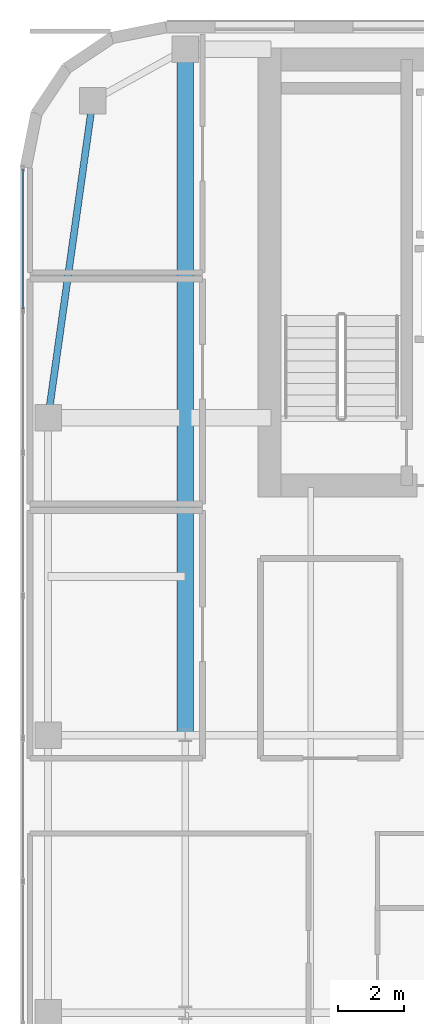
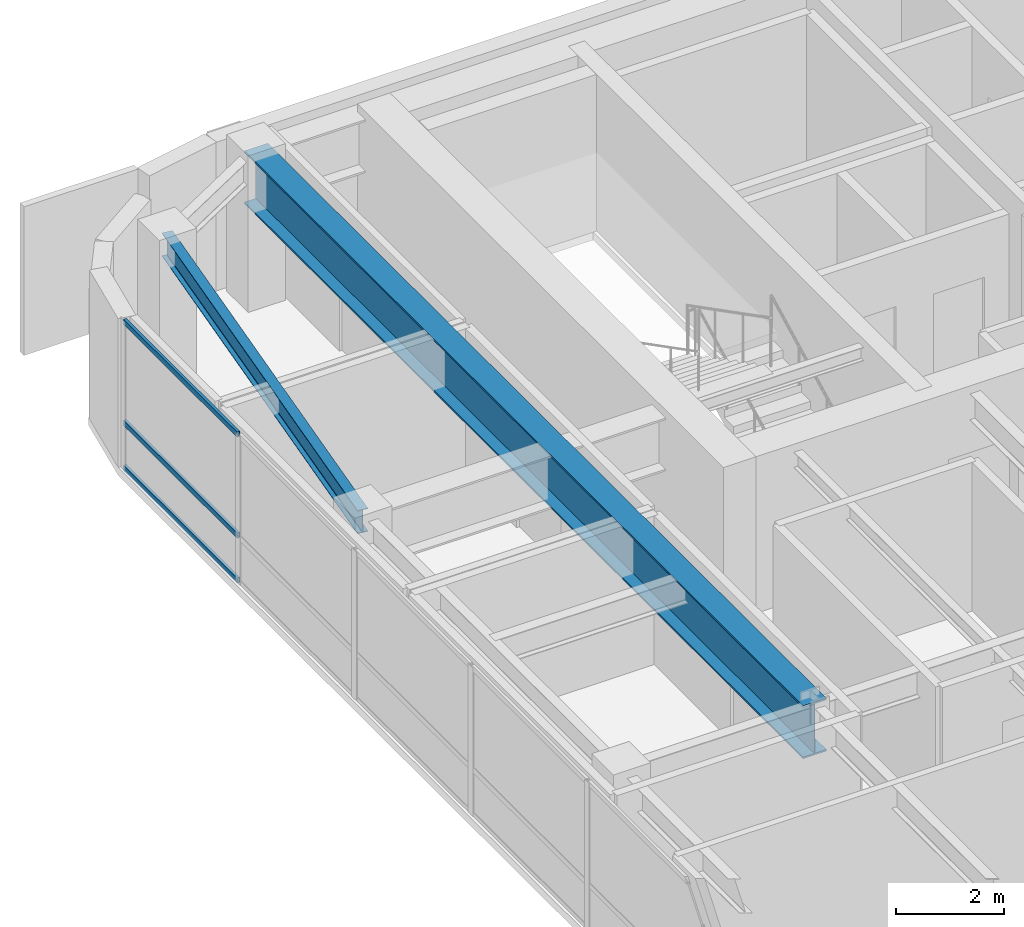
# One storey, part 14 of 28: 3 members, 2 beams, 1 element without a shape of its own.
"""IFC4 building model written with IfcOpenShell, lengths in metres."""

from ifc_helpers import new_model, si_unit, direction, frame, origin, origin_2d, place, context, subcontext, project, spatial, hollow_rectangle, i_section, extrude, source, transform, mapped, material, layer, layer_set, material_profile, profile_set, type_object, type_shapes, element, aggregate, save


model = new_model("IFC4")

# Units and contexts
model_context = context("Model", 3, precision=1e-05, world=origin(), true_north=direction((0.0, 1.0)))
body_context = subcontext(model_context, "Body", "Model", "MODEL_VIEW")
ifc_project = project(units=[si_unit("LENGTHUNIT", "METRE"), si_unit("AREAUNIT", "SQUARE_METRE"), si_unit("VOLUMEUNIT", "CUBIC_METRE"), si_unit("PLANEANGLEUNIT", "RADIAN"), si_unit("MASSUNIT", "GRAM", prefix="KILO")], contexts=[model_context])

# Site, building, storey
site_placement = place(None, origin())
site = spatial("IfcSite", under=ifc_project, at=site_placement, CompositionType="ELEMENT")
building_placement = place(site_placement, origin())
building = spatial("IfcBuilding", under=site, at=building_placement, Name="Tolvann Quenvar Hotel", CompositionType="ELEMENT")
storey_placement = place(building_placement, frame((0.0, 0.0, 198.199951171875)))
storey = spatial("IfcBuildingStorey", under=building, at=storey_placement, Name="L52", CompositionType="ELEMENT", Elevation=198.199951171875)

# Beams
ifc_material_1 = material(Name="Steel Grade 350", Category="steel")
ifc_material_profile_1 = material_profile(ifc_material_1, i_section(OverallWidth=0.5, OverallDepth=1.199951171875, WebThickness=0.01611328125, FlangeThickness=0.0400390625, at=origin_2d()), Name="1200WB455")
ifc_profile_set_1 = profile_set([ifc_material_profile_1], Name="Steel Grade 350")
beam_type_1 = type_object("IfcBeamType", Name="BM_TG_1200WB455", PredefinedType="USERDEFINED", material=ifc_profile_set_1)
shared_shape_1 = source(origin(), body_context, "Body", "SweptSolid", [
    extrude(i_section(OverallWidth=0.5, OverallDepth=1.199951171875, WebThickness=0.01611328125, FlangeThickness=0.0400390625, at=origin_2d()), origin(), (0.0, 0.0, 1.0), 20.75),
])
type_shapes(beam_type_1, [shared_shape_1])
beam_1_placement = place(storey_placement, frame((7.60009765625, 24.39990234375, 2.77001953125), z_axis=(0.0, 1.0, 0.0), x_axis=(-1.0, 0.0, 0.0)))
element("IfcBeam", 1, at=beam_1_placement, inside=storey, type_object=beam_type_1, Name="BM-L52-FLK-WC", ObjectType="TRANSFER GIRDER", PredefinedType="USERDEFINED", context=body_context, shape_type="MappedRepresentation", body=[
    mapped(shared_shape_1, transform((0.0, 0.0, 0.0), x_axis=(1.0, 0.0, 0.0), y_axis=(0.0, 1.0, 0.0), z_axis=(0.0, 0.0, 1.0), scale=1.0)),
])
ifc_material_profile_2 = material_profile(ifc_material_1, i_section(OverallWidth=0.208984375, OverallDepth=0.528076171875, WebThickness=0.009521484375, FlangeThickness=0.01318359375, FilletRadius=0.013916015625, at=origin_2d()), Name="530UB82")
ifc_profile_set_2 = profile_set([ifc_material_profile_2], Name="Steel Grade 350")
beam_type_2 = type_object("IfcBeamType", Name="BM_SPAND_530UB82", PredefinedType="SPANDREL", material=ifc_profile_set_2)
shared_shape_2 = source(origin(), body_context, "Body", "SweptSolid", [
    extrude(i_section(OverallWidth=0.208984375, OverallDepth=0.528076171875, WebThickness=0.009521484375, FlangeThickness=0.01318359375, FilletRadius=0.013916015625, at=origin_2d()), origin(), (0.0, 0.0, 1.0), 9.694580078125),
])
type_shapes(beam_type_2, [shared_shape_2])
beam_2_placement = place(storey_placement, frame((3.449951171875, 34.0, 3.10595703125), z_axis=(0.139263320262, 0.990255385055, 0.0), x_axis=(-0.990255385055, 0.139263320262, 0.0)))
element("IfcBeam", 2, at=beam_2_placement, inside=storey, type_object=beam_type_2, Name="BM-L52-FLK-W2", PredefinedType="SPANDREL", context=body_context, shape_type="MappedRepresentation", body=[
    mapped(shared_shape_2, transform((0.0, 0.0, 0.0), x_axis=(1.0, 0.0, 0.0), y_axis=(0.0, 1.0, 0.0), z_axis=(0.0, 0.0, 1.0), scale=1.0)),
])

# Curtain wall, members
ifc_material_2 = material(Name="Thermally broken anodised architectural aluminium 6063-T6 and laminated low-E glass", Category="aluminium")
ifc_layer = layer(ifc_material_2, 0.179931640625)
ifc_layer_set = layer_set([ifc_layer], Name="Thermally broken anodised architectural aluminium 6063-T6 and laminated low-E glass")
curtain_wall_type = type_object("IfcCurtainWallType", Name="CW_SYS_BAND_04", PredefinedType="USERDEFINED", material=ifc_layer_set)
curtain_wall_placement = place(storey_placement, origin())
curtain_wall = element("IfcCurtainWall", 3, at=curtain_wall_placement, inside=storey, type_object=curtain_wall_type, Name="Curtain Wall CW-BAND-04 (CWR-L52-E23)", ObjectType="UNITISED CURTAIN WALL", PredefinedType="USERDEFINED")
ifc_material_3 = material(Name="Anodised architectural aluminium 6063-T6 framing", Category="aluminium")
ifc_material_profile_3 = material_profile(ifc_material_3, hollow_rectangle(XDim=0.06005859375, YDim=0.1201171875, WallThickness=0.00341796875, at=origin_2d()), Name="120x60x3.5RHS")
ifc_profile_set_3 = profile_set([ifc_material_profile_3], Name="Anodised architectural aluminium 6063-T6 framing")
member_type = type_object("IfcMemberType", Name="CW_TRAN_120x60", PredefinedType="USERDEFINED", material=ifc_profile_set_3)
shared_shape_3 = source(origin(), body_context, "Body", "SweptSolid", [
    extrude(hollow_rectangle(XDim=0.06005859375, YDim=0.1201171875, WallThickness=0.00341796875, at=origin_2d()), origin(), (0.0, 0.0, 1.0), 4.215576171875),
])
type_shapes(member_type, [shared_shape_3])
member_1_placement = place(storey_placement, frame((2.68994140625, 41.5126953125, 0.030029296875), z_axis=(0.0, -1.0, 0.0), x_axis=(1.0, 0.0, 0.0)))
member_1 = element("IfcMember", 4, at=member_1_placement, type_object=member_type, Name="CW-BAND-04 transom 1.1", ObjectType="TRANSOM", PredefinedType="USERDEFINED", context=body_context, shape_type="MappedRepresentation", body=[
    mapped(shared_shape_3, transform((0.0, 0.0, 0.0), x_axis=(1.0, 0.0, 0.0), y_axis=(0.0, 1.0, 0.0), z_axis=(0.0, 0.0, 1.0), scale=1.0)),
])
member_2_placement = place(storey_placement, frame((2.68994140625, 41.5126953125, 1.050048828125), z_axis=(0.0, -1.0, 0.0), x_axis=(1.0, 0.0, 0.0)))
member_2 = element("IfcMember", 5, at=member_2_placement, type_object=member_type, Name="CW-BAND-04 transom 1.2", ObjectType="TRANSOM", PredefinedType="USERDEFINED", context=body_context, shape_type="MappedRepresentation", body=[
    mapped(shared_shape_3, transform((0.0, 0.0, 0.0), x_axis=(1.0, 0.0, 0.0), y_axis=(0.0, 1.0, 0.0), z_axis=(0.0, 0.0, 1.0), scale=1.0)),
])
member_3_placement = place(storey_placement, frame((2.68994140625, 41.5126953125, 3.340087890625), z_axis=(0.0, -1.0, 0.0), x_axis=(1.0, 0.0, 0.0)))
member_3 = element("IfcMember", 6, at=member_3_placement, type_object=member_type, Name="CW-BAND-04 transom 1.3", ObjectType="TRANSOM", PredefinedType="USERDEFINED", context=body_context, shape_type="MappedRepresentation", body=[
    mapped(shared_shape_3, transform((0.0, 0.0, 0.0), x_axis=(1.0, 0.0, 0.0), y_axis=(0.0, 1.0, 0.0), z_axis=(0.0, 0.0, 1.0), scale=1.0)),
])
aggregate(curtain_wall, [member_1, member_2, member_3])

save(model, "model.ifc")
